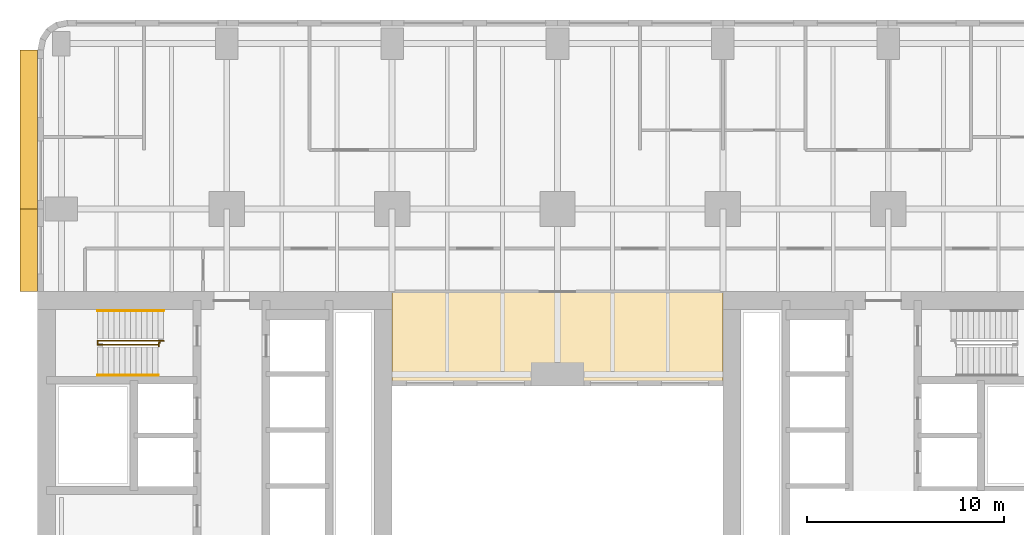
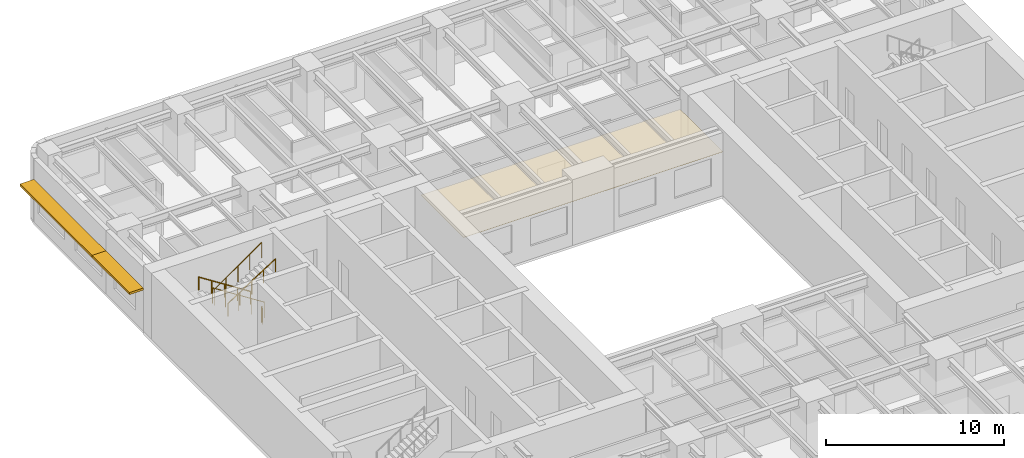
# One storey, part 12 of 14: 4 railings, 2 shading devices, 1 covering.
"""IFC4 building model written with IfcOpenShell, lengths in metres."""

import ifcopenshell
import ifcopenshell.guid

model = None  # the IFC model being written
_history = None  # IfcOwnerHistory: only IFC2X3 demands one
_inside = {}  # id of a spatial element -> (the spatial element, [elements in it])
_under = {}  # id of a project, library or spatial element -> (it, [spatial elements below it])
_declared = {}  # id of a project -> (the project, [libraries it declares])
_typed = {}  # id of a type object -> (the type object, [elements of that type])
_made_of = {}  # id of a material, layer set ... -> (it, [elements and type objects made of it])


def new_model(schema):
    """Start an empty IFC model of exactly this schema.

    Asked for "IFC4X3", IfcOpenShell would pick the latest addendum, in which some entities
    have other attributes; the version numbers below select the first issue.
    IFC2X3 requires an IfcOwnerHistory on every rooted entity: one is made here for all.
    """
    global model, _history
    if schema == "IFC4X3":
        model = ifcopenshell.file(schema_version=(4, 3, 0, 0))
    else:
        model = ifcopenshell.file(schema=schema)
    _inside.clear()
    _under.clear()
    _declared.clear()
    _typed.clear()
    _made_of.clear()
    _history = None
    if model.schema == "IFC2X3":
        org = make("IfcOrganization", Name="unknown")
        user = make(
            "IfcPersonAndOrganization",
            ThePerson=make("IfcPerson", FamilyName="unknown"),
            TheOrganization=org,
        )
        app = make(
            "IfcApplication",
            ApplicationDeveloper=org,
            Version="unknown",
            ApplicationFullName="unknown",
            ApplicationIdentifier="unknown",
        )
        _history = make(
            "IfcOwnerHistory",
            OwningUser=user,
            OwningApplication=app,
            ChangeAction="ADDED",
            CreationDate=0,
        )
    return model


def make(cls, **values):
    """One entity of the class cls with the attributes given. An attribute that is None is left unset."""
    return model.create_entity(
        cls, **{name: value for name, value in values.items() if value is not None}
    )


def rooted(cls, **values):
    """An entity with a GlobalId (a new one), such as an element, a storey or a relation."""
    return make(cls, GlobalId=ifcopenshell.guid.new(), OwnerHistory=_history, **values)


def si_unit(unit_type, name, prefix=None):
    """IfcSIUnit, for example si_unit("LENGTHUNIT", "METRE", prefix="MILLI")."""
    return make("IfcSIUnit", UnitType=unit_type, Prefix=prefix, Name=name)


def assignment(units):
    """IfcUnitAssignment: the units of a project."""
    return None if units is None else make("IfcUnitAssignment", Units=units)


def point(xyz):
    """IfcCartesianPoint."""
    return None if xyz is None else make("IfcCartesianPoint", Coordinates=xyz)


def direction(xyz):
    """IfcDirection."""
    return None if xyz is None else make("IfcDirection", DirectionRatios=xyz)


def frame(location, z_axis=None, x_axis=None):
    """IfcAxis2Placement3D, a coordinate frame: its origin and axes. An axis left out is left unset."""
    return make(
        "IfcAxis2Placement3D",
        Location=point(location),
        Axis=direction(z_axis),
        RefDirection=direction(x_axis),
    )


def frame_2d(location, x_axis=None):
    """IfcAxis2Placement2D, a coordinate frame in the plane: its origin and x axis."""
    return make(
        "IfcAxis2Placement2D", Location=point(location), RefDirection=direction(x_axis)
    )


def origin():
    """The frame at (0, 0, 0) with its axes left unset."""
    return frame((0.0, 0.0, 0.0))


def origin_2d():
    """The frame at (0, 0) in the plane with its x axis left unset."""
    return frame_2d((0.0, 0.0))


def place(relative_to, where):
    """IfcLocalPlacement: puts the frame where relative to a parent placement (None: the world)."""
    return make(
        "IfcLocalPlacement", PlacementRelTo=relative_to, RelativePlacement=where
    )


def context(
    kind, dimensions, precision=None, world=None, true_north=None, identifier=None
):
    """IfcGeometricRepresentationContext, for example the 3D "Model" context."""
    return make(
        "IfcGeometricRepresentationContext",
        ContextIdentifier=identifier,
        ContextType=kind,
        CoordinateSpaceDimension=dimensions,
        Precision=precision,
        WorldCoordinateSystem=world,
        TrueNorth=true_north,
    )


def subcontext(parent, identifier, kind, view, scale=None):
    """IfcGeometricRepresentationSubContext, for example "Body" below "Model"."""
    return make(
        "IfcGeometricRepresentationSubContext",
        ContextIdentifier=identifier,
        ContextType=kind,
        ParentContext=parent,
        TargetScale=scale,
        TargetView=view,
    )


def project(units=None, contexts=None):
    """IfcProject with its units and contexts."""
    return rooted(
        "IfcProject",
        Name="project",
        RepresentationContexts=contexts,
        UnitsInContext=assignment(units),
    )


def spatial(cls, under=None, at=None, **own):
    """A site, building, storey or space (cls), placed at a placement, below another one or the project."""
    s = rooted(cls, ObjectPlacement=at, **own)
    if under is not None:
        _under.setdefault(under.id(), (under, []))[1].append(s)
    return s


def polyline(points):
    """IfcPolyline through the points."""
    return make("IfcPolyline", Points=[point(p) for p in points])


def profile(cls, at=None, kind="AREA", **sizes):
    """A parametric profile (cls). Its sizes go by their IFC names, for example OverallWidth=200.0."""
    return make(cls, ProfileType=kind, Position=at, **sizes)


def rectangle(**sizes):
    """IfcRectangleProfileDef."""
    return profile("IfcRectangleProfileDef", **sizes)


def circle(**sizes):
    """IfcCircleProfileDef."""
    return profile("IfcCircleProfileDef", **sizes)


def outline(outer, holes=None, kind="AREA"):
    """IfcArbitraryClosedProfileDef: a profile drawn as a closed curve; with holes, ...WithVoids."""
    if holes is None:
        return make("IfcArbitraryClosedProfileDef", ProfileType=kind, OuterCurve=outer)
    return make(
        "IfcArbitraryProfileDefWithVoids",
        ProfileType=kind,
        OuterCurve=outer,
        InnerCurves=holes,
    )


def extrude(swept, where, along, depth):
    """IfcExtrudedAreaSolid: the profile swept, set in the frame where, extruded along a direction by depth."""
    return make(
        "IfcExtrudedAreaSolid",
        SweptArea=swept,
        Position=where,
        ExtrudedDirection=direction(along),
        Depth=depth,
    )


def shape(context_of_items, identifier, shape_type, items):
    """IfcShapeRepresentation: the items that make up one representation, for example the "Body"."""
    return make(
        "IfcShapeRepresentation",
        ContextOfItems=context_of_items,
        RepresentationIdentifier=identifier,
        RepresentationType=shape_type,
        Items=items,
    )


def material(Name=None, Category=None):
    """IfcMaterial."""
    return make("IfcMaterial", Name=Name, Category=Category)


def layer(
    of_material, thickness, ventilated=None, Name=None, Category=None, Priority=None
):
    """IfcMaterialLayer: one layer of a wall or slab, of a material (None: an air gap)."""
    return make(
        "IfcMaterialLayer",
        Material=of_material,
        LayerThickness=thickness,
        IsVentilated=ventilated,
        Name=Name,
        Category=Category,
        Priority=Priority,
    )


def layer_set(layers, Name=None):
    """IfcMaterialLayerSet."""
    return make("IfcMaterialLayerSet", MaterialLayers=layers, LayerSetName=Name)


def made_of(thing, what):
    """Note that an element or type object is made of a material, layer set ...; save() writes the relation."""
    if what is not None:
        _made_of.setdefault(what.id(), (what, []))[1].append(thing)
    return thing


def type_object(cls, material=None, **own):
    """A type object (cls), such as IfcWallType, which elements share."""
    return made_of(rooted(cls, **own), material)


def element(
    cls,
    number,
    at=None,
    inside=None,
    cuts=None,
    type_object=None,
    material=None,
    context=None,
    identifier="Body",
    shape_type=None,
    held_by="IfcProductDefinitionShape",
    body=None,
    shapes=None,
    **own,
):
    """One element of the class cls, such as IfcWall. Its Tag is "e" and its number.

    at: its placement. inside: the storey or other place that contains it. cuts: it is an
    opening in that element (IfcRelVoidsElement). A single representation is given by context,
    identifier, shape_type and body (its items); several are given by shapes. held_by: the class
    of the entity that holds the representations. save() writes the other relations.
    """
    e = rooted(cls, Tag="e%d" % number, ObjectPlacement=at, **own)
    if body is not None:
        shapes = [shape(context, identifier, shape_type, body)]
    if shapes is not None:
        e.Representation = make(held_by, Representations=shapes)
    if inside is not None:
        _inside.setdefault(inside.id(), (inside, []))[1].append(e)
    if cuts is not None:
        rooted(
            "IfcRelVoidsElement", RelatingBuildingElement=cuts, RelatedOpeningElement=e
        )
    if type_object is not None:
        _typed.setdefault(type_object.id(), (type_object, []))[1].append(e)
    return made_of(e, material)


def aggregate(whole, parts):
    """IfcRelAggregates: a whole, such as a stair, and the parts it consists of."""
    return rooted("IfcRelAggregates", RelatingObject=whole, RelatedObjects=parts)


def save(model, path):
    """Write the relations noted so far, then the file.

    IfcRelAggregates (storeys below a building ...), IfcRelContainedInSpatialStructure (elements
    in a storey), IfcRelDefinesByType, IfcRelAssociatesMaterial and IfcRelDeclares: one each for
    every whole, place, type object, material and project.
    """
    for whole, parts in _under.values():
        aggregate(whole, parts)
    for where, things in _inside.values():
        rooted(
            "IfcRelContainedInSpatialStructure",
            RelatedElements=things,
            RelatingStructure=where,
        )
    for kind, things in _typed.values():
        rooted("IfcRelDefinesByType", RelatedObjects=things, RelatingType=kind)
    for what, things in _made_of.values():
        rooted("IfcRelAssociatesMaterial", RelatedObjects=things, RelatingMaterial=what)
    for by, libraries in _declared.values():
        rooted("IfcRelDeclares", RelatingContext=by, RelatedDefinitions=libraries)
    model.write(path)


model = new_model("IFC4")

# Units and contexts
model_context = context("Model", 3, precision=1e-05, world=origin(), true_north=direction((0.0, 1.0)))
body_context = subcontext(model_context, "Body", "Model", "MODEL_VIEW")
ifc_project = project(units=[si_unit("LENGTHUNIT", "METRE"), si_unit("AREAUNIT", "SQUARE_METRE"), si_unit("VOLUMEUNIT", "CUBIC_METRE"), si_unit("PLANEANGLEUNIT", "RADIAN"), si_unit("MASSUNIT", "GRAM", prefix="KILO")], contexts=[model_context])

# Site, building, storey
site_placement = place(None, origin())
site = spatial("IfcSite", under=ifc_project, at=site_placement, CompositionType="ELEMENT")
building_placement = place(site_placement, origin())
building = spatial("IfcBuilding", under=site, at=building_placement, Name="Claustro Exchange Tower", CompositionType="ELEMENT")
storey_placement = place(building_placement, frame((0.0, 0.0, 32.39990234375)))
storey = spatial("IfcBuildingStorey", under=building, at=storey_placement, Name="L07", CompositionType="ELEMENT", Elevation=32.39990234375)

# Covering
ifc_material_1 = material(Name="Gypsum board ceiling", Category="gypsum board")
ifc_layer_1 = layer(ifc_material_1, 0.02490234375)
ifc_layer_set_1 = layer_set([ifc_layer_1], Name="Gypsum board ceiling")
covering_type = type_object("IfcCoveringType", Name="CL2 plasterboard ceiling", PredefinedType="CEILING", material=ifc_layer_set_1)
covering_placement = place(storey_placement, frame((0.0, 0.0, 3.0)))
element("IfcCovering", 1, at=covering_placement, inside=storey, type_object=covering_type, Name="Ceiling CL2 L07-11", PredefinedType="CEILING", context=body_context, shape_type="SweptSolid", body=[
    extrude(outline(polyline([(33.60009765625, 33.0), (33.60009765625, 37.800048828125), (16.800048828125, 37.800048828125), (16.800048828125, 33.0), (33.60009765625, 33.0)])), origin(), (0.0, 0.0, 1.0), 0.025146484375),
])

# Railings
ifc_material_2 = material(Name="Steel balustrade, painted", Category="steel")
railing_type_1 = type_object("IfcRailingType", Name="GR2 1100 steel stair guard", PredefinedType="GUARDRAIL", material=ifc_material_2)
railing_1_placement = place(storey_placement, frame((5.199951171875, 35.300048828125, 0.18017578125)))
element("IfcRailing", 2, at=railing_1_placement, inside=storey, type_object=railing_type_1, Name="Stair well guard GR2 stair STWB L07", PredefinedType="GUARDRAIL", context=body_context, shape_type="SweptSolid", body=[
    extrude(circle(Radius=0.02392578125, at=origin_2d()), frame((0.0, 0.0, 1.076171875), z_axis=(-0.841178475377, 0.0, 0.540757591313), x_axis=(0.0, -1.0, 0.0)), (0.0, 0.0, 1.0), 3.994140625),
    extrude(circle(Radius=0.02392578125, at=origin_2d()), frame((-3.35986328125, 0.0, 3.23583984375), z_axis=(0.0, -1.0, 0.0), x_axis=(1.0, 0.0, 0.0)), (0.0, 0.0, 1.0), 0.199951171875),
    extrude(circle(Radius=0.02392578125, at=origin_2d()), frame((-3.35986328125, -0.199951171875, 3.23583984375), z_axis=(0.818728512145, 0.0, 0.574180828137), x_axis=(0.0, 1.0, 0.0)), (0.0, 0.0, 1.0), 3.76171875),
    extrude(circle(Radius=0.02099609375, at=origin_2d()), origin(), (0.0, 0.0, 1.0), 1.052001953125),
    extrude(circle(Radius=0.02099609375, at=origin_2d()), frame((-0.83984375, 0.0, 0.5400390625)), (0.0, 0.0, 1.0), 1.052001953125),
    extrude(circle(Radius=0.02099609375, at=origin_2d()), frame((-1.679931640625, 0.0, 1.080078125)), (0.0, 0.0, 1.0), 1.052001953125),
    extrude(circle(Radius=0.02099609375, at=origin_2d()), frame((-2.52001953125, 0.0, 1.619873046875)), (0.0, 0.0, 1.0), 1.052001953125),
    extrude(circle(Radius=0.02099609375, at=origin_2d()), frame((-3.35986328125, 0.0, 2.159912109375)), (0.0, 0.0, 1.0), 1.052001953125),
    extrude(circle(Radius=0.02099609375, at=origin_2d()), frame((-3.35986328125, -0.199951171875, 2.159912109375)), (0.0, 0.0, 1.0), 1.052001953125),
    extrude(circle(Radius=0.02099609375, at=origin_2d()), frame((-2.58984375, -0.199951171875, 2.699951171875)), (0.0, 0.0, 1.0), 1.052001953125),
    extrude(circle(Radius=0.02099609375, at=origin_2d()), frame((-1.81982421875, -0.199951171875, 3.23974609375)), (0.0, 0.0, 1.0), 1.052001953125),
    extrude(circle(Radius=0.02099609375, at=origin_2d()), frame((-1.050048828125, -0.199951171875, 3.77978515625)), (0.0, 0.0, 1.0), 1.052001953125),
    extrude(circle(Radius=0.02099609375, at=origin_2d()), frame((-0.280029296875, -0.199951171875, 4.31982421875)), (0.0, 0.0, 1.0), 1.052001953125),
])
railing_2_placement = place(storey_placement, frame((5.0, 35.22998046875, 0.0)))
element("IfcRailing", 3, at=railing_2_placement, inside=storey, type_object=railing_type_1, Name="Stair guard GR2 STWB L07", PredefinedType="GUARDRAIL", context=body_context, shape_type="SweptSolid", body=[
    extrude(circle(Radius=0.02392578125, at=origin_2d()), frame((0.0, 0.0, 1.076171875), z_axis=(0.0, -1.0, 0.0), x_axis=(1.0, 0.0, 0.0)), (0.0, 0.0, 1.0), 0.030029296875),
    extrude(circle(Radius=0.02392578125, at=origin_2d()), frame((0.0, -0.030029296875, 1.076171875), z_axis=(-1.0, 0.0, 0.0), x_axis=(0.0, -1.0, 0.0)), (0.0, 0.0, 1.0), 0.054931640625),
    extrude(circle(Radius=0.02392578125, at=origin_2d()), frame((-0.054931640625, -0.030029296875, 1.076171875), z_axis=(0.0, -1.0, 0.0), x_axis=(1.0, 0.0, 0.0)), (0.0, 0.0, 1.0), 0.179931640625),
    extrude(circle(Radius=0.02099609375, at=origin_2d()), origin(), (0.0, 0.0, 1.0), 1.052001953125),
    extrude(circle(Radius=0.02099609375, at=origin_2d()), frame((0.0, -0.030029296875, 0.0)), (0.0, 0.0, 1.0), 1.052001953125),
    extrude(circle(Radius=0.02099609375, at=origin_2d()), frame((-0.054931640625, -0.030029296875, 0.0)), (0.0, 0.0, 1.0), 1.052001953125),
    extrude(circle(Radius=0.02099609375, at=origin_2d()), frame((-0.054931640625, -0.2099609375, 0.0)), (0.0, 0.0, 1.0), 1.052001953125),
])
ifc_material_3 = material(Name="Stainless steel tube", Category="steel")
railing_type_2 = type_object("IfcRailingType", Name="HR1 900 stair handrail", PredefinedType="HANDRAIL", material=ifc_material_3)
railing_3_placement = place(storey_placement, frame((5.199951171875, 36.840087890625, 0.18017578125)))
element("IfcRailing", 4, at=railing_3_placement, inside=storey, type_object=railing_type_2, Name="Handrail HR1 stair STWB L07", PredefinedType="HANDRAIL", context=body_context, shape_type="SweptSolid", body=[
    extrude(circle(Radius=0.02392578125, at=origin_2d()), frame((0.0, 0.0, 0.8759765625), z_axis=(-0.841178475377, 0.0, 0.540757591313), x_axis=(0.0, -1.0, 0.0)), (0.0, 0.0, 1.0), 3.994140625),
    extrude(circle(Radius=0.02099609375, at=origin_2d()), origin(), (0.0, 0.0, 1.0), 0.851806640625),
    extrude(circle(Radius=0.02099609375, at=origin_2d()), frame((-0.83984375, 0.0, 0.5400390625)), (0.0, 0.0, 1.0), 0.851806640625),
    extrude(circle(Radius=0.02099609375, at=origin_2d()), frame((-1.679931640625, 0.0, 1.080078125)), (0.0, 0.0, 1.0), 0.851806640625),
    extrude(circle(Radius=0.02099609375, at=origin_2d()), frame((-2.52001953125, 0.0, 1.619873046875)), (0.0, 0.0, 1.0), 0.851806640625),
    extrude(circle(Radius=0.02099609375, at=origin_2d()), frame((-3.35986328125, 0.0, 2.159912109375)), (0.0, 0.0, 1.0), 0.851806640625),
])
railing_4_placement = place(storey_placement, frame((1.840087890625, 33.56005859375, 2.52001953125)))
element("IfcRailing", 5, at=railing_4_placement, inside=storey, type_object=railing_type_2, Name="Handrail HR1 stair STWB L07", PredefinedType="HANDRAIL", context=body_context, shape_type="SweptSolid", body=[
    extrude(circle(Radius=0.02392578125, at=origin_2d()), frame((0.0, 0.0, 0.8759765625), z_axis=(0.841167642724, 0.0, 0.540774441735), x_axis=(0.0, 1.0, 0.0)), (0.0, 0.0, 1.0), 3.661376953125),
    extrude(circle(Radius=0.02099609375, at=origin_2d()), origin(), (0.0, 0.0, 1.0), 0.851806640625),
    extrude(circle(Radius=0.02099609375, at=origin_2d()), frame((0.77001953125, 0.0, 0.4951171875)), (0.0, 0.0, 1.0), 0.851806640625),
    extrude(circle(Radius=0.02099609375, at=origin_2d()), frame((1.5400390625, 0.0, 0.989990234375)), (0.0, 0.0, 1.0), 0.851806640625),
    extrude(circle(Radius=0.02099609375, at=origin_2d()), frame((2.309814453125, 0.0, 1.48486328125)), (0.0, 0.0, 1.0), 0.851806640625),
    extrude(circle(Radius=0.02099609375, at=origin_2d()), frame((3.079833984375, 0.0, 1.97998046875)), (0.0, 0.0, 1.0), 0.851806640625),
])

# Shading devices
ifc_material_4 = material(Name="Concrete HA-40 (C40/50), precast, white cement, acid-etched", Category="concrete")
ifc_layer_2 = layer(ifc_material_4, 0.14990234375)
ifc_layer_set_2 = layer_set([ifc_layer_2], Name="Concrete HA-40 (C40/50), precast, white cement, acid-etched")
shading_device_type = type_object("IfcShadingDeviceType", Name="SS2 900 precast concrete SUNSHADE", PredefinedType="SHUTTER", material=ifc_layer_set_2)
shading_device_1_placement = place(storey_placement, frame((-1.64990234375, 39.89990234375, 2.800048828125), z_axis=(0.0, 0.0, 1.0), x_axis=(0.0, 1.0, 0.0)))
element("IfcShadingDevice", 6, at=shading_device_1_placement, inside=storey, type_object=shading_device_type, Name="Precast SUNSHADE SS2 L07", PredefinedType="SHUTTER", context=body_context, shape_type="SweptSolid", body=[
    extrude(rectangle(XDim=4.199951171875, YDim=0.89990234375, at=origin_2d()), origin(), (0.0, 0.0, 1.0), 0.14990234375),
])
shading_device_2_placement = place(storey_placement, frame((-1.64990234375, 46.04248046875, 2.800048828125), z_axis=(0.0, 0.0, 1.0), x_axis=(0.0, 1.0, 0.0)))
element("IfcShadingDevice", 7, at=shading_device_2_placement, inside=storey, type_object=shading_device_type, Name="Precast SUNSHADE SS2 L07", PredefinedType="SHUTTER", context=body_context, shape_type="SweptSolid", body=[
    extrude(rectangle(XDim=8.085205078125, YDim=0.89990234375, at=origin_2d()), origin(), (0.0, 0.0, 1.0), 0.14990234375),
])

save(model, "model.ifc")
